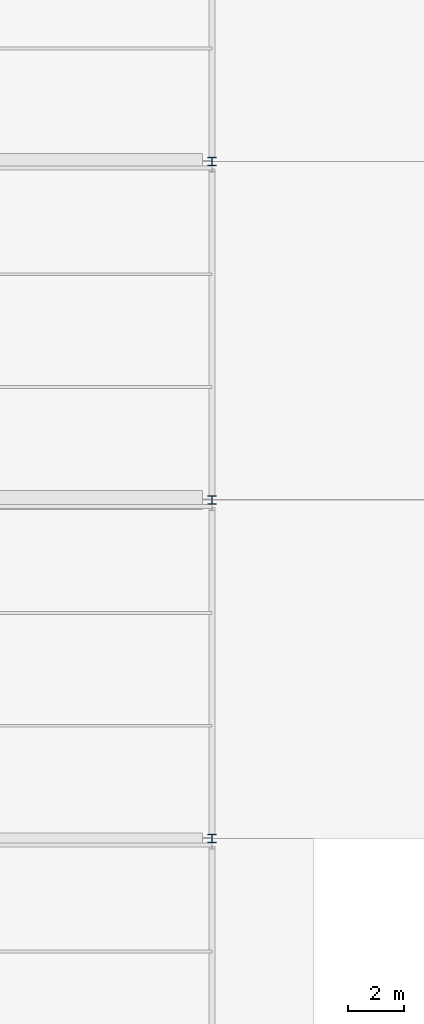
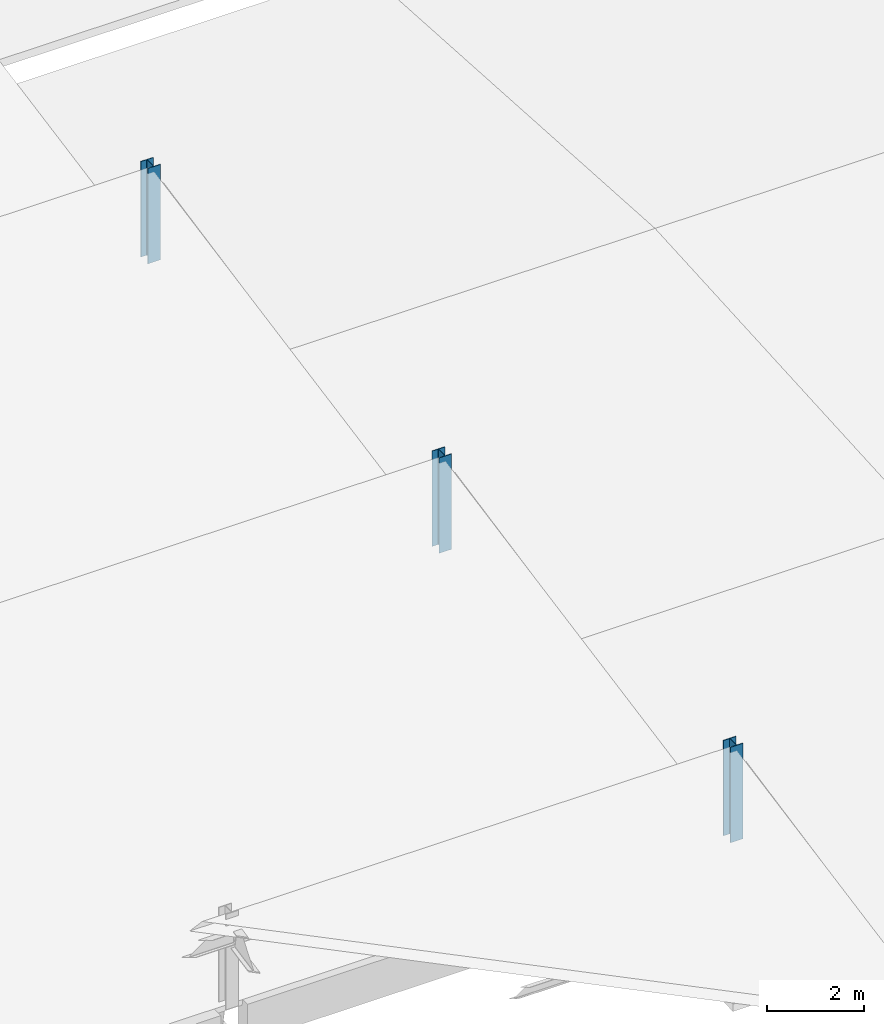
# One storey, part 4 of 23: 3 columns.
"""IFC4 building model written with IfcOpenShell, lengths in metres."""

from ifc_helpers import new_model, si_unit, direction, frame, origin, origin_2d, place, context, subcontext, project, spatial, i_section, extrude, material, material_profile, profile_set, type_object, element, save


model = new_model("IFC4")

# Units and contexts
model_context = context("Model", 3, precision=1e-05, world=origin(), true_north=direction((0.0, 1.0)))
body_context = subcontext(model_context, "Body", "Model", "MODEL_VIEW")
ifc_project = project(units=[si_unit("LENGTHUNIT", "METRE"), si_unit("AREAUNIT", "SQUARE_METRE"), si_unit("VOLUMEUNIT", "CUBIC_METRE"), si_unit("PLANEANGLEUNIT", "RADIAN"), si_unit("MASSUNIT", "GRAM", prefix="KILO")], contexts=[model_context])

# Site, building, storey
site_placement = place(None, origin())
site = spatial("IfcSite", under=ifc_project, at=site_placement, CompositionType="ELEMENT")
building_placement = place(site_placement, origin())
building = spatial("IfcBuilding", under=site, at=building_placement, Name="Kamomehara Wholesale Market", CompositionType="ELEMENT")
storey_placement = place(building_placement, frame((0.0, 0.0, 21.0)))
storey = spatial("IfcBuildingStorey", under=building, at=storey_placement, Name="RF", CompositionType="ELEMENT", Elevation=21.0)

# Columns
ifc_material = material(Name="Steel SN490B", Category="steel")
ifc_material_profile = material_profile(ifc_material, i_section(OverallWidth=0.300048828125, OverallDepth=0.300048828125, WebThickness=0.010009765625, FlangeThickness=0.014892578125, FilletRadius=0.012939453125, at=origin_2d()), Name="H-300x300x10x15")
ifc_profile_set = profile_set([ifc_material_profile], Name="Steel SN490B")
column_type = type_object("IfcColumnType", Name="COL-ST-H300-EXT", PredefinedType="COLUMN", material=ifc_profile_set)
for number, where, z_axis, x_axis, name in (
    (1, (36.0, 108.0, -4.800048828125), (0.0, 0.0, 1.0), (1.0, 0.0, 0.0), "Column CS-03E RF"),
    (2, (36.0, 120.0, -4.800048828125), (0.0, 0.0, 1.0), (1.0, 0.0, 0.0), "Column CS-03E RF"),
    (3, (36.0, 132.0, -4.800048828125), (0.0, 0.0, 1.0), (1.0, 0.0, 0.0), "Column CS-03E RF"),
):
    element("IfcColumn", number, at=place(storey_placement, frame(where, z_axis=z_axis, x_axis=x_axis)), inside=storey, type_object=column_type, Name=name, PredefinedType="COLUMN", context=body_context, shape_type="SweptSolid", body=[
        extrude(i_section(OverallWidth=0.300048828125, OverallDepth=0.300048828125, WebThickness=0.010009765625, FlangeThickness=0.014892578125, FilletRadius=0.012939453125, at=origin_2d()), origin(), (0.0, 0.0, 1.0), 2.400146484375),
    ])

save(model, "model.ifc")
